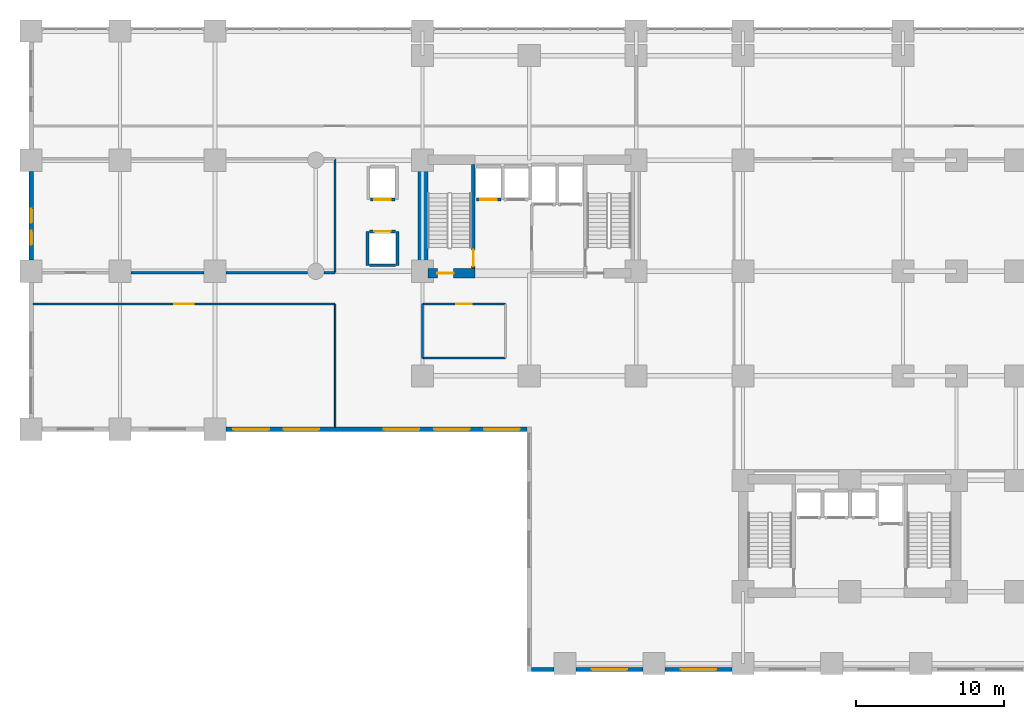
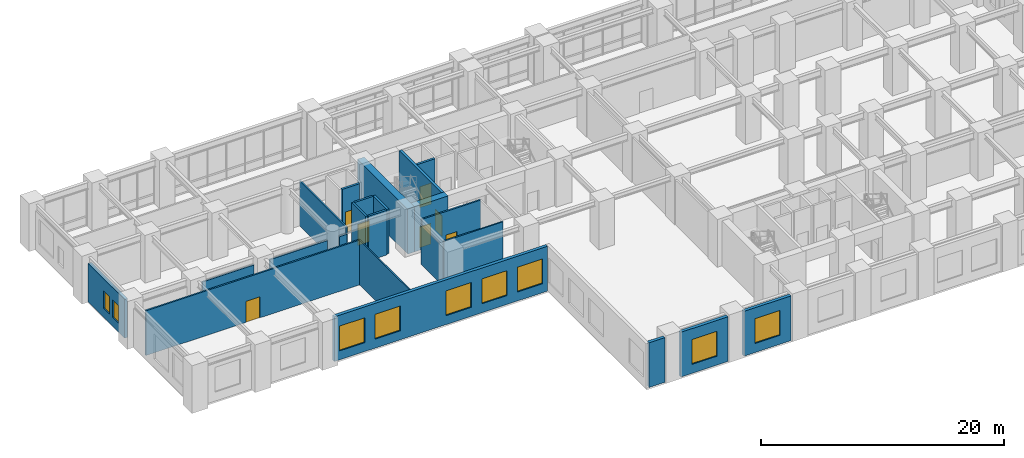
# One storey, part 15 of 22: 23 walls, 9 windows, 7 doors, 16 openings.
"""IFC4 building model written with IfcOpenShell, lengths in metres."""

from ifc_helpers import new_model, si_unit, direction, frame, frame_2d, origin, place, context, subcontext, project, spatial, rectangle, extrude, material, layer, layer_set, type_object, element, fill, save


model = new_model("IFC4")

# Units and contexts
model_context = context("Model", 3, precision=1e-05, world=origin(), true_north=direction((0.0, 1.0)))
body_context = subcontext(model_context, "Body", "Model", "MODEL_VIEW")
ifc_project = project(units=[si_unit("LENGTHUNIT", "METRE"), si_unit("AREAUNIT", "SQUARE_METRE"), si_unit("VOLUMEUNIT", "CUBIC_METRE"), si_unit("PLANEANGLEUNIT", "RADIAN"), si_unit("MASSUNIT", "GRAM", prefix="KILO")], contexts=[model_context])

# Site, building, storey
site_placement = place(None, origin())
site = spatial("IfcSite", under=ifc_project, at=site_placement, CompositionType="ELEMENT")
building_placement = place(site_placement, origin())
building = spatial("IfcBuilding", under=site, at=building_placement, Name="Kaliganga Portal Commons", CompositionType="ELEMENT")
storey_placement = place(building_placement, frame((0.0, 0.0, 10.199951171875)))
storey = spatial("IfcBuildingStorey", under=building, at=storey_placement, Name="L02", CompositionType="ELEMENT", Elevation=10.199951171875)

# Wall
ifc_material_1 = material(Name="Concrete C70/85", Category="concrete")
ifc_layer_1 = layer(ifc_material_1, 0.64990234375)
ifc_layer_set_1 = layer_set([ifc_layer_1], Name="Concrete C70/85")
wall_type_1 = type_object("IfcWallType", Name="WL-CORE-650", PredefinedType="SHEAR", material=ifc_layer_set_1)
wall_1_placement = place(storey_placement, frame((14.425048828125, 28.199951171875, 0.0), z_axis=(0.0, 0.0, 1.0), x_axis=(0.0, 1.0, 0.0)))
element("IfcWall", 1, at=wall_1_placement, inside=storey, type_object=wall_type_1, Name="Core A West Shear Wall L02", PredefinedType="SHEAR", context=body_context, shape_type="SweptSolid", body=[
    extrude(rectangle(XDim=8.300048828125, YDim=0.64990234375, at=frame_2d((4.14990234375, 0.0))), origin(), (0.0, 0.0, 1.0), 4.52001953125),
])

# Wall, opening, door
wall_2_placement = place(storey_placement, frame((14.75, 28.52490234375, 0.0), z_axis=(0.0, 0.0, 1.0), x_axis=(1.0, 0.0, 0.0)))
wall_2 = element("IfcWall", 2, at=wall_2_placement, inside=storey, type_object=wall_type_1, Name="Core A S-West Shear Wall L02", PredefinedType="SHEAR", context=body_context, shape_type="SweptSolid", body=[
    extrude(rectangle(XDim=3.199951171875, YDim=0.64990234375, at=frame_2d((1.60009765625, 0.0))), origin(), (0.0, 0.0, 1.0), 4.52001953125),
])
opening_1_placement = place(wall_2_placement, frame((0.64990234375, 0.0, 0.0)))
opening_1 = element("IfcOpeningElement", 3, at=opening_1_placement, cuts=wall_2, Name="Opening SD-01", PredefinedType="OPENING", context=body_context, shape_type="SweptSolid", body=[
    extrude(rectangle(XDim=1.10009765625, YDim=2.080078125, at=frame_2d((0.550048828125, 1.0400390625))), frame((0.0, 0.3349609375, 0.0), z_axis=(0.0, -1.0, 0.0), x_axis=(1.0, 0.0, 0.0)), (0.0, 0.0, 1.0), 0.669921875),
])
ifc_material_2 = material(Name="Galvanized Steel Fire Door Leaf and Frame", Category="steel")
door_type_1 = type_object("IfcDoorType", Name="DR-STAIR-1100", OperationType="NOTDEFINED", PredefinedType="DOOR", material=ifc_material_2)
door_1_placement = place(opening_1_placement, origin())
door_1 = element("IfcDoor", 4, at=door_1_placement, inside=storey, type_object=door_type_1, Name="Protected Stair ST-A1 Concourse Fire Door L02", OperationType="SINGLE_SWING_LEFT", OverallHeight=2.080078125, OverallWidth=1.10009765625, PredefinedType="DOOR", context=body_context, shape_type="SweptSolid", body=[
    extrude(rectangle(XDim=1.10009765625, YDim=2.080078125, at=frame_2d((0.550048828125, 1.0400390625))), frame((0.0, 0.02490234375, 0.0), z_axis=(0.0, -1.0, 0.0), x_axis=(1.0, 0.0, 0.0)), (0.0, 0.0, 1.0), 0.050048828125),
])
fill(opening_1, door_1)

# Wall
ifc_material_3 = material(Name="Precast concrete C40/50", Category="concrete")
ifc_layer_2 = layer(ifc_material_3, 0.300048828125)
ifc_layer_set_2 = layer_set([ifc_layer_2], Name="Precast concrete C40/50")
wall_type_2 = type_object("IfcWallType", Name="WL-EXT-POD-300", PredefinedType="STANDARD", material=ifc_layer_set_2)
wall_3_placement = place(storey_placement, frame((23.2490234375, 1.800048828125, 0.0), z_axis=(0.0, 0.0, 1.0), x_axis=(-1.0, 0.0, 0.0)))
element("IfcWall", 5, at=wall_3_placement, inside=storey, type_object=wall_type_2, Name="Exterior Envelope Wall L02 P1-E00-S1", PredefinedType="STANDARD", context=body_context, shape_type="SweptSolid", body=[
    extrude(rectangle(XDim=1.494140625, YDim=0.300048828125, at=frame_2d((0.7470703125, 0.0))), origin(), (0.0, 0.0, 1.0), 4.5),
])

# Wall, opening, window
wall_4_placement = place(storey_placement, frame((29.2490234375, 1.800048828125, 0.0), z_axis=(0.0, 0.0, 1.0), x_axis=(-1.0, 0.0, 0.0)))
wall_4 = element("IfcWall", 6, at=wall_4_placement, inside=storey, type_object=wall_type_2, Name="Exterior Envelope Wall L02 P1-E00-S2", PredefinedType="STANDARD", context=body_context, shape_type="SweptSolid", body=[
    extrude(rectangle(XDim=4.498046875, YDim=0.300048828125, at=frame_2d((2.2490234375, 0.0))), origin(), (0.0, 0.0, 1.0), 4.5),
])
opening_2_placement = place(wall_4_placement, frame((1.049072265625, 0.0, 0.89990234375)))
opening_2 = element("IfcOpeningElement", 7, at=opening_2_placement, cuts=wall_4, Name="Opening W-05", PredefinedType="OPENING", context=body_context, shape_type="SweptSolid", body=[
    extrude(rectangle(XDim=2.39990234375, YDim=2.5, at=frame_2d((1.199951171875, 1.25))), frame((0.0, 0.16015625, 0.0), z_axis=(0.0, -1.0, 0.0), x_axis=(1.0, 0.0, 0.0)), (0.0, 0.0, 1.0), 0.320068359375),
])
ifc_material_4 = material(Name="Thermally Broken Aluminium and Low-E Double Glazing", Category="aluminium")
window_type_1 = type_object("IfcWindowType", Name="WIN-POD-2400", PartitioningType="TRIPLE_PANEL_VERTICAL", PredefinedType="WINDOW", material=ifc_material_4)
window_1_placement = place(opening_2_placement, origin())
window_1 = element("IfcWindow", 8, at=window_1_placement, inside=storey, type_object=window_type_1, Name="Facade Window L02-P1E00S2-00", OverallHeight=2.5, OverallWidth=2.39990234375, PartitioningType="SINGLE_PANEL", PredefinedType="WINDOW", context=body_context, shape_type="SweptSolid", body=[
    extrude(rectangle(XDim=2.39990234375, YDim=2.5, at=frame_2d((1.199951171875, 1.25))), frame((0.0, 0.030029296875, 0.0), z_axis=(0.0, -1.0, 0.0), x_axis=(1.0, 0.0, 0.0)), (0.0, 0.0, 1.0), 0.06005859375),
])
fill(opening_2, window_1)

wall_5_placement = place(storey_placement, frame((35.2490234375, 1.800048828125, 0.0), z_axis=(0.0, 0.0, 1.0), x_axis=(-1.0, 0.0, 0.0)))
wall_5 = element("IfcWall", 9, at=wall_5_placement, inside=storey, type_object=wall_type_2, Name="Exterior Envelope Wall L02 P1-E00-S3", PredefinedType="STANDARD", context=body_context, shape_type="SweptSolid", body=[
    extrude(rectangle(XDim=4.498046875, YDim=0.300048828125, at=frame_2d((2.2490234375, 0.0))), origin(), (0.0, 0.0, 1.0), 4.5),
])
opening_3_placement = place(wall_5_placement, frame((1.049072265625, 0.0, 0.89990234375)))
opening_3 = element("IfcOpeningElement", 10, at=opening_3_placement, cuts=wall_5, Name="Opening W-05", PredefinedType="OPENING", context=body_context, shape_type="SweptSolid", body=[
    extrude(rectangle(XDim=2.39990234375, YDim=2.5, at=frame_2d((1.199951171875, 1.25))), frame((0.0, 0.16015625, 0.0), z_axis=(0.0, -1.0, 0.0), x_axis=(1.0, 0.0, 0.0)), (0.0, 0.0, 1.0), 0.320068359375),
])
window_2_placement = place(opening_3_placement, origin())
window_2 = element("IfcWindow", 11, at=window_2_placement, inside=storey, type_object=window_type_1, Name="Facade Window L02-P1E00S3-00", OverallHeight=2.5, OverallWidth=2.39990234375, PartitioningType="SINGLE_PANEL", PredefinedType="WINDOW", context=body_context, shape_type="SweptSolid", body=[
    extrude(rectangle(XDim=2.39990234375, YDim=2.5, at=frame_2d((1.199951171875, 1.25))), frame((0.0, 0.030029296875, 0.0), z_axis=(0.0, -1.0, 0.0), x_axis=(1.0, 0.0, 0.0)), (0.0, 0.0, 1.0), 0.06005859375),
])
fill(opening_3, window_2)

# Wall, openings, windows
wall_6_placement = place(storey_placement, frame((-12.0, 29.40087890625, 0.0), z_axis=(0.0, 0.0, 1.0), x_axis=(0.0, 1.0, 0.0)))
wall_6 = element("IfcWall", 12, at=wall_6_placement, inside=storey, type_object=wall_type_2, Name="Exterior Envelope Wall L02 P1-E03-S2", PredefinedType="STANDARD", context=body_context, shape_type="SweptSolid", body=[
    extrude(rectangle(XDim=5.998046875, YDim=0.300048828125, at=frame_2d((2.9990234375, 0.0))), origin(), (0.0, 0.0, 1.0), 3.900146484375),
])
opening_4_placement = place(wall_6_placement, frame((2.52392578125, 0.0, 0.89990234375)))
opening_4 = element("IfcOpeningElement", 13, at=opening_4_placement, cuts=wall_6, Name="Opening W-04", PredefinedType="OPENING", context=body_context, shape_type="SweptSolid", body=[
    extrude(rectangle(XDim=0.949951171875, YDim=1.75, at=frame_2d((0.47509765625, 0.875))), frame((0.0, 0.16015625, 0.0), z_axis=(0.0, -1.0, 0.0), x_axis=(1.0, 0.0, 0.0)), (0.0, 0.0, 1.0), 0.320068359375),
])
opening_5_placement = place(wall_6_placement, frame((1.03662109375, 0.0, 0.89990234375)))
opening_5 = element("IfcOpeningElement", 14, at=opening_5_placement, cuts=wall_6, Name="Opening W-04", PredefinedType="OPENING", context=body_context, shape_type="SweptSolid", body=[
    extrude(rectangle(XDim=0.949951171875, YDim=1.75, at=frame_2d((0.47509765625, 0.875))), frame((0.0, 0.16015625, 0.0), z_axis=(0.0, -1.0, 0.0), x_axis=(1.0, 0.0, 0.0)), (0.0, 0.0, 1.0), 0.320068359375),
])
window_type_2 = type_object("IfcWindowType", Name="WIN-NARROW-950", PartitioningType="SINGLE_PANEL", PredefinedType="WINDOW", material=ifc_material_4)
window_3_placement = place(opening_4_placement, origin())
window_3 = element("IfcWindow", 15, at=window_3_placement, inside=storey, type_object=window_type_2, Name="Facade Window L02-P1E03S2-N0", OverallHeight=1.75, OverallWidth=0.949951171875, PartitioningType="SINGLE_PANEL", PredefinedType="WINDOW", context=body_context, shape_type="SweptSolid", body=[
    extrude(rectangle(XDim=0.949951171875, YDim=1.75, at=frame_2d((0.47509765625, 0.875))), frame((0.0, 0.030029296875, 0.0), z_axis=(0.0, -1.0, 0.0), x_axis=(1.0, 0.0, 0.0)), (0.0, 0.0, 1.0), 0.06005859375),
])
fill(opening_4, window_3)
window_4_placement = place(opening_5_placement, origin())
window_4 = element("IfcWindow", 16, at=window_4_placement, inside=storey, type_object=window_type_2, Name="Facade Window L02-P1E03S2-N1", OverallHeight=1.75, OverallWidth=0.949951171875, PartitioningType="SINGLE_PANEL", PredefinedType="WINDOW", context=body_context, shape_type="SweptSolid", body=[
    extrude(rectangle(XDim=0.949951171875, YDim=1.75, at=frame_2d((0.47509765625, 0.875))), frame((0.0, 0.030029296875, 0.0), z_axis=(0.0, -1.0, 0.0), x_axis=(1.0, 0.0, 0.0)), (0.0, 0.0, 1.0), 0.06005859375),
])
fill(opening_5, window_4)

wall_7_placement = place(storey_placement, frame((21.445068359375, 18.0, 0.0), z_axis=(0.0, 0.0, 1.0), x_axis=(-1.0, 0.0, 0.0)))
wall_7 = element("IfcWall", 17, at=wall_7_placement, inside=storey, type_object=wall_type_2, Name="Exterior Envelope Wall L02 P1-E04-S3", PredefinedType="STANDARD", context=body_context, shape_type="SweptSolid", body=[
    extrude(rectangle(XDim=20.294189453125, YDim=0.300048828125, at=frame_2d((10.14697265625, 0.0))), origin(), (0.0, 0.0, 1.0), 4.5),
])
opening_6_placement = place(wall_7_placement, frame((0.4912109375, 0.0, 0.89990234375)))
opening_6 = element("IfcOpeningElement", 18, at=opening_6_placement, cuts=wall_7, Name="Opening W-05", PredefinedType="OPENING", context=body_context, shape_type="SweptSolid", body=[
    extrude(rectangle(XDim=2.39990234375, YDim=2.5, at=frame_2d((1.199951171875, 1.25))), frame((0.0, 0.16015625, 0.0), z_axis=(0.0, -1.0, 0.0), x_axis=(1.0, 0.0, 0.0)), (0.0, 0.0, 1.0), 0.320068359375),
])
opening_7_placement = place(wall_7_placement, frame((3.87353515625, 0.0, 0.89990234375)))
opening_7 = element("IfcOpeningElement", 19, at=opening_7_placement, cuts=wall_7, Name="Opening W-05", PredefinedType="OPENING", context=body_context, shape_type="SweptSolid", body=[
    extrude(rectangle(XDim=2.39990234375, YDim=2.5, at=frame_2d((1.199951171875, 1.25))), frame((0.0, 0.16015625, 0.0), z_axis=(0.0, -1.0, 0.0), x_axis=(1.0, 0.0, 0.0)), (0.0, 0.0, 1.0), 0.320068359375),
])
opening_8_placement = place(wall_7_placement, frame((7.255859375, 0.0, 0.89990234375)))
opening_8 = element("IfcOpeningElement", 20, at=opening_8_placement, cuts=wall_7, Name="Opening W-05", PredefinedType="OPENING", context=body_context, shape_type="SweptSolid", body=[
    extrude(rectangle(XDim=2.39990234375, YDim=2.5, at=frame_2d((1.199951171875, 1.25))), frame((0.0, 0.16015625, 0.0), z_axis=(0.0, -1.0, 0.0), x_axis=(1.0, 0.0, 0.0)), (0.0, 0.0, 1.0), 0.320068359375),
])
opening_9_placement = place(wall_7_placement, frame((14.0205078125, 0.0, 0.89990234375)))
opening_9 = element("IfcOpeningElement", 21, at=opening_9_placement, cuts=wall_7, Name="Opening W-05", PredefinedType="OPENING", context=body_context, shape_type="SweptSolid", body=[
    extrude(rectangle(XDim=2.39990234375, YDim=2.5, at=frame_2d((1.199951171875, 1.25))), frame((0.0, 0.16015625, 0.0), z_axis=(0.0, -1.0, 0.0), x_axis=(1.0, 0.0, 0.0)), (0.0, 0.0, 1.0), 0.320068359375),
])
opening_10_placement = place(wall_7_placement, frame((17.40283203125, 0.0, 0.89990234375)))
opening_10 = element("IfcOpeningElement", 22, at=opening_10_placement, cuts=wall_7, Name="Opening W-05", PredefinedType="OPENING", context=body_context, shape_type="SweptSolid", body=[
    extrude(rectangle(XDim=2.39990234375, YDim=2.5, at=frame_2d((1.199951171875, 1.25))), frame((0.0, 0.16015625, 0.0), z_axis=(0.0, -1.0, 0.0), x_axis=(1.0, 0.0, 0.0)), (0.0, 0.0, 1.0), 0.320068359375),
])
window_5_placement = place(opening_6_placement, origin())
window_5 = element("IfcWindow", 23, at=window_5_placement, inside=storey, type_object=window_type_1, Name="Facade Window L02-P1E04S3-00", OverallHeight=2.5, OverallWidth=2.39990234375, PartitioningType="SINGLE_PANEL", PredefinedType="WINDOW", context=body_context, shape_type="SweptSolid", body=[
    extrude(rectangle(XDim=2.39990234375, YDim=2.5, at=frame_2d((1.199951171875, 1.25))), frame((0.0, 0.030029296875, 0.0), z_axis=(0.0, -1.0, 0.0), x_axis=(1.0, 0.0, 0.0)), (0.0, 0.0, 1.0), 0.06005859375),
])
fill(opening_6, window_5)
window_6_placement = place(opening_7_placement, origin())
window_6 = element("IfcWindow", 24, at=window_6_placement, inside=storey, type_object=window_type_1, Name="Facade Window L02-P1E04S3-01", OverallHeight=2.5, OverallWidth=2.39990234375, PartitioningType="SINGLE_PANEL", PredefinedType="WINDOW", context=body_context, shape_type="SweptSolid", body=[
    extrude(rectangle(XDim=2.39990234375, YDim=2.5, at=frame_2d((1.199951171875, 1.25))), frame((0.0, 0.030029296875, 0.0), z_axis=(0.0, -1.0, 0.0), x_axis=(1.0, 0.0, 0.0)), (0.0, 0.0, 1.0), 0.06005859375),
])
fill(opening_7, window_6)
window_7_placement = place(opening_8_placement, origin())
window_7 = element("IfcWindow", 25, at=window_7_placement, inside=storey, type_object=window_type_1, Name="Facade Window L02-P1E04S3-02", OverallHeight=2.5, OverallWidth=2.39990234375, PartitioningType="SINGLE_PANEL", PredefinedType="WINDOW", context=body_context, shape_type="SweptSolid", body=[
    extrude(rectangle(XDim=2.39990234375, YDim=2.5, at=frame_2d((1.199951171875, 1.25))), frame((0.0, 0.030029296875, 0.0), z_axis=(0.0, -1.0, 0.0), x_axis=(1.0, 0.0, 0.0)), (0.0, 0.0, 1.0), 0.06005859375),
])
fill(opening_8, window_7)
window_8_placement = place(opening_9_placement, origin())
window_8 = element("IfcWindow", 26, at=window_8_placement, inside=storey, type_object=window_type_1, Name="Facade Window L02-P1E04S3-04", OverallHeight=2.5, OverallWidth=2.39990234375, PartitioningType="SINGLE_PANEL", PredefinedType="WINDOW", context=body_context, shape_type="SweptSolid", body=[
    extrude(rectangle(XDim=2.39990234375, YDim=2.5, at=frame_2d((1.199951171875, 1.25))), frame((0.0, 0.030029296875, 0.0), z_axis=(0.0, -1.0, 0.0), x_axis=(1.0, 0.0, 0.0)), (0.0, 0.0, 1.0), 0.06005859375),
])
fill(opening_9, window_8)
window_9_placement = place(opening_10_placement, origin())
window_9 = element("IfcWindow", 27, at=window_9_placement, inside=storey, type_object=window_type_1, Name="Facade Window L02-P1E04S3-05", OverallHeight=2.5, OverallWidth=2.39990234375, PartitioningType="SINGLE_PANEL", PredefinedType="WINDOW", context=body_context, shape_type="SweptSolid", body=[
    extrude(rectangle(XDim=2.39990234375, YDim=2.5, at=frame_2d((1.199951171875, 1.25))), frame((0.0, 0.030029296875, 0.0), z_axis=(0.0, -1.0, 0.0), x_axis=(1.0, 0.0, 0.0)), (0.0, 0.0, 1.0), 0.06005859375),
])
fill(opening_10, window_9)

# Wall, opening, door
ifc_material_5 = material(Name="Fire-Rated Gypsum Board on Steel Stud", Category="steel")
ifc_layer_3 = layer(ifc_material_5, 0.14990234375)
ifc_layer_set_3 = layer_set([ifc_layer_3], Name="Fire-Rated Gypsum Board on Steel Stud")
wall_type_3 = type_object("IfcWallType", Name="WL-PART-CORR-150", PredefinedType="PARTITIONING", material=ifc_layer_set_3)
wall_8_placement = place(storey_placement, frame((-11.867919921875, 26.43994140625, 0.0), z_axis=(0.0, 0.0, 1.0), x_axis=(1.0, 0.0, 0.0)))
wall_8 = element("IfcWall", 28, at=wall_8_placement, inside=storey, type_object=wall_type_3, Name="Interior Partition L02-012", PredefinedType="PARTITIONING", context=body_context, shape_type="SweptSolid", body=[
    extrude(rectangle(XDim=20.367919921875, YDim=0.14990234375, at=frame_2d((10.18408203125, 0.0))), origin(), (0.0, 0.0, 1.0), 4.5),
])
opening_11_placement = place(wall_8_placement, frame((9.533935546875, 0.0, 0.0)))
opening_11 = element("IfcOpeningElement", 29, at=opening_11_placement, cuts=wall_8, Name="Opening RD-03", PredefinedType="OPENING", context=body_context, shape_type="SweptSolid", body=[
    extrude(rectangle(XDim=1.300048828125, YDim=2.1201171875, at=frame_2d((0.64990234375, 1.06005859375))), frame((0.0, 0.0849609375, 0.0), z_axis=(0.0, -1.0, 0.0), x_axis=(1.0, 0.0, 0.0)), (0.0, 0.0, 1.0), 0.169921875),
])
ifc_material_6 = material(Name="Glazed Timber Seminar Vision Door", Category="wood")
door_type_2 = type_object("IfcDoorType", Name="DR-STUDY-1300", OperationType="DOUBLE_DOOR_SINGLE_SWING", PredefinedType="DOOR", material=ifc_material_6)
door_2_placement = place(opening_11_placement, origin())
door_2 = element("IfcDoor", 30, at=door_2_placement, inside=storey, type_object=door_type_2, Name="Interior Door L02-MAKER", OperationType="DOUBLE_DOOR_SINGLE_SWING", OverallHeight=2.1201171875, OverallWidth=1.300048828125, PredefinedType="DOOR", context=body_context, shape_type="SweptSolid", body=[
    extrude(rectangle(XDim=1.300048828125, YDim=2.1201171875, at=frame_2d((0.64990234375, 1.06005859375))), frame((0.0, 0.02490234375, 0.0), z_axis=(0.0, -1.0, 0.0), x_axis=(1.0, 0.0, 0.0)), (0.0, 0.0, 1.0), 0.050048828125),
])
fill(opening_11, door_2)

# Walls
wall_9_placement = place(storey_placement, frame((-5.25, 28.56005859375, 0.0), z_axis=(0.0, 0.0, 1.0), x_axis=(1.0, 0.0, 0.0)))
element("IfcWall", 31, at=wall_9_placement, inside=storey, type_object=wall_type_3, Name="Interior Partition L02-014", PredefinedType="PARTITIONING", context=body_context, shape_type="SweptSolid", body=[
    extrude(rectangle(XDim=4.89990234375, YDim=0.14990234375, at=frame_2d((2.449951171875, 0.0))), origin(), (0.0, 0.0, 1.0), 3.800048828125),
])
wall_10_placement = place(storey_placement, frame((1.14990234375, 28.56005859375, 0.0), z_axis=(0.0, 0.0, 1.0), x_axis=(1.0, 0.0, 0.0)))
element("IfcWall", 32, at=wall_10_placement, inside=storey, type_object=wall_type_3, Name="Interior Partition L02-015", PredefinedType="PARTITIONING", context=body_context, shape_type="SweptSolid", body=[
    extrude(rectangle(XDim=5.5, YDim=0.14990234375, at=frame_2d((2.75, 0.0))), origin(), (0.0, 0.0, 1.0), 3.800048828125),
])
wall_11_placement = place(storey_placement, frame((7.75, 28.56005859375, 0.0), z_axis=(0.0, 0.0, 1.0), x_axis=(1.0, 0.0, 0.0)))
element("IfcWall", 33, at=wall_11_placement, inside=storey, type_object=wall_type_3, Name="Interior Partition L02-016", PredefinedType="PARTITIONING", context=body_context, shape_type="SweptSolid", body=[
    extrude(rectangle(XDim=0.75, YDim=0.14990234375, at=frame_2d((0.375, 0.0))), origin(), (0.0, 0.0, 1.0), 3.800048828125),
])
wall_12_placement = place(storey_placement, frame((8.5, 28.56005859375, 0.0), z_axis=(0.0, 0.0, 1.0), x_axis=(0.0, 1.0, 0.0)))
element("IfcWall", 34, at=wall_12_placement, inside=storey, type_object=wall_type_3, Name="Interior Partition L02-021", PredefinedType="PARTITIONING", context=body_context, shape_type="SweptSolid", body=[
    extrude(rectangle(XDim=7.679931640625, YDim=0.14990234375, at=frame_2d((3.83984375, 0.0))), origin(), (0.0, 0.0, 1.0), 4.5),
])

# Wall, opening, door
wall_13_placement = place(storey_placement, frame((14.39990234375, 26.43994140625, 0.0), z_axis=(0.0, 0.0, 1.0), x_axis=(1.0, 0.0, 0.0)))
wall_13 = element("IfcWall", 35, at=wall_13_placement, inside=storey, type_object=wall_type_3, Name="Interior Partition L02-022", PredefinedType="PARTITIONING", context=body_context, shape_type="SweptSolid", body=[
    extrude(rectangle(XDim=5.60009765625, YDim=0.14990234375, at=frame_2d((2.800048828125, 0.0))), origin(), (0.0, 0.0, 1.0), 4.5),
])
opening_12_placement = place(wall_13_placement, frame((2.27490234375, 0.0, 0.0)))
opening_12 = element("IfcOpeningElement", 36, at=opening_12_placement, cuts=wall_13, Name="Opening UD-02", PredefinedType="OPENING", context=body_context, shape_type="SweptSolid", body=[
    extrude(rectangle(XDim=1.050048828125, YDim=2.1201171875, at=frame_2d((0.52490234375, 1.06005859375))), frame((0.0, 0.0849609375, 0.0), z_axis=(0.0, -1.0, 0.0), x_axis=(1.0, 0.0, 0.0)), (0.0, 0.0, 1.0), 0.169921875),
])
ifc_material_7 = material(Name="Accessible Wide-Leaf Acoustic Fire Door", Category="wood")
door_type_3 = type_object("IfcDoorType", Name="DR-ACC-1050", OperationType="NOTDEFINED", PredefinedType="DOOR", material=ifc_material_7)
door_3_placement = place(opening_12_placement, origin())
door_3 = element("IfcDoor", 37, at=door_3_placement, inside=storey, type_object=door_type_3, Name="Interior Door L02-L02WC", OperationType="SINGLE_SWING_RIGHT", OverallHeight=2.1201171875, OverallWidth=1.050048828125, PredefinedType="DOOR", context=body_context, shape_type="SweptSolid", body=[
    extrude(rectangle(XDim=1.050048828125, YDim=2.1201171875, at=frame_2d((0.52490234375, 1.06005859375))), frame((0.0, 0.02490234375, 0.0), z_axis=(0.0, -1.0, 0.0), x_axis=(1.0, 0.0, 0.0)), (0.0, 0.0, 1.0), 0.050048828125),
])
fill(opening_12, door_3)

# Walls
ifc_material_8 = material(Name="Moisture-Resistant Gypsum Partition", Category="gypsum")
ifc_layer_4 = layer(ifc_material_8, 0.114990234375)
ifc_layer_set_4 = layer_set([ifc_layer_4], Name="Moisture-Resistant Gypsum Partition")
wall_type_4 = type_object("IfcWallType", Name="WL-PART-ROOM-115", PredefinedType="PARTITIONING", material=ifc_layer_set_4)
wall_14_placement = place(storey_placement, frame((8.5, 18.132080078125, 0.0), z_axis=(0.0, 0.0, 1.0), x_axis=(0.0, 1.0, 0.0)))
element("IfcWall", 38, at=wall_14_placement, inside=storey, type_object=wall_type_4, Name="Interior Partition L02-029", PredefinedType="PARTITIONING", context=body_context, shape_type="SweptSolid", body=[
    extrude(rectangle(XDim=8.307861328125, YDim=0.114990234375, at=frame_2d((4.15380859375, 0.0))), origin(), (0.0, 0.0, 1.0), 4.5),
])
ifc_material_9 = material(Name="Cement-Board Wet-Room Partition", Category="gypsum")
ifc_layer_5 = layer(ifc_material_9, 0.135009765625)
ifc_layer_set_5 = layer_set([ifc_layer_5], Name="Cement-Board Wet-Room Partition")
wall_type_5 = type_object("IfcWallType", Name="WL-PART-WET-135", PredefinedType="PARTITIONING", material=ifc_layer_set_5)
wall_15_placement = place(storey_placement, frame((14.39990234375, 22.800048828125, 0.0), z_axis=(0.0, 0.0, 1.0), x_axis=(1.0, 0.0, 0.0)))
element("IfcWall", 39, at=wall_15_placement, inside=storey, type_object=wall_type_5, Name="Interior Partition L02-031", PredefinedType="PARTITIONING", context=body_context, shape_type="SweptSolid", body=[
    extrude(rectangle(XDim=5.60009765625, YDim=0.135009765625, at=frame_2d((2.800048828125, 0.0))), origin(), (0.0, 0.0, 1.0), 4.5),
])
wall_16_placement = place(storey_placement, frame((14.39990234375, 22.800048828125, 0.0), z_axis=(0.0, 0.0, 1.0), x_axis=(0.0, 1.0, 0.0)))
element("IfcWall", 40, at=wall_16_placement, inside=storey, type_object=wall_type_5, Name="Interior Partition L02-033", PredefinedType="PARTITIONING", context=body_context, shape_type="SweptSolid", body=[
    extrude(rectangle(XDim=3.639892578125, YDim=0.135009765625, at=frame_2d((1.81982421875, 0.0))), origin(), (0.0, 0.0, 1.0), 3.900146484375),
])

# Wall, opening, door
ifc_material_10 = material(Name="Fire-Rated Shaftwall Masonry Assembly", Category="masonry")
ifc_layer_6 = layer(ifc_material_10, 0.199951171875)
ifc_layer_set_6 = layer_set([ifc_layer_6], Name="Fire-Rated Shaftwall Masonry Assembly")
wall_type_6 = type_object("IfcWallType", Name="WL-SHAFT-200", PredefinedType="PARTITIONING", material=ifc_layer_set_6)
wall_17_placement = place(storey_placement, frame((18.02490234375, 33.485107421875, 0.0), z_axis=(0.0, 0.0, 1.0), x_axis=(1.0, 0.0, 0.0)))
wall_17 = element("IfcWall", 41, at=wall_17_placement, inside=storey, type_object=wall_type_6, Name="Lift PL-A1 Hoistway Shaft Wall L02-S", PredefinedType="PARTITIONING", context=body_context, shape_type="SweptSolid", body=[
    extrude(rectangle(XDim=1.650146484375, YDim=0.199951171875, at=frame_2d((0.8251953125, 0.0))), origin(), (0.0, 0.0, 1.0), 4.5),
])
opening_13_placement = place(wall_17_placement, frame((0.27490234375, 0.0, 0.0)))
opening_13 = element("IfcOpeningElement", 42, at=opening_13_placement, cuts=wall_17, Name="Opening LD-01", PredefinedType="OPENING", context=body_context, shape_type="SweptSolid", body=[
    extrude(rectangle(XDim=1.10009765625, YDim=2.1201171875, at=frame_2d((0.550048828125, 1.06005859375))), frame((0.0, 0.10986328125, 0.0), z_axis=(0.0, -1.0, 0.0), x_axis=(1.0, 0.0, 0.0)), (0.0, 0.0, 1.0), 0.219970703125),
])
ifc_material_11 = material(Name="Brushed Stainless Steel 316 Lift Landing Door", Category="steel")
door_type_4 = type_object("IfcDoorType", Name="DR-LIFT-1100", OperationType="SLIDING_TO_LEFT", PredefinedType="DOOR", material=ifc_material_11)
door_4_placement = place(opening_13_placement, origin())
door_4 = element("IfcDoor", 43, at=door_4_placement, inside=storey, type_object=door_type_4, Name="Lift PL-A1 Sliding Landing Door L02", OperationType="SLIDING_TO_LEFT", OverallHeight=2.1201171875, OverallWidth=1.10009765625, PredefinedType="DOOR", context=body_context, shape_type="SweptSolid", body=[
    extrude(rectangle(XDim=1.10009765625, YDim=2.1201171875, at=frame_2d((0.550048828125, 1.06005859375))), frame((0.0, 0.02490234375, 0.0), z_axis=(0.0, -1.0, 0.0), x_axis=(1.0, 0.0, 0.0)), (0.0, 0.0, 1.0), 0.050048828125),
])
fill(opening_13, door_4)

# Wall
wall_18_placement = place(storey_placement, frame((10.824951171875, 29.06005859375, 0.0), z_axis=(0.0, 0.0, 1.0), x_axis=(1.0, 0.0, 0.0)))
element("IfcWall", 44, at=wall_18_placement, inside=storey, type_object=wall_type_6, Name="Lift SH-1 Hoistway Shaft Wall L02-S", PredefinedType="PARTITIONING", context=body_context, shape_type="SweptSolid", body=[
    extrude(rectangle(XDim=1.75, YDim=0.199951171875, at=frame_2d((0.875, 0.0))), origin(), (0.0, 0.0, 1.0), 4.5),
])

# Wall, opening, door
wall_19_placement = place(storey_placement, frame((10.824951171875, 31.340087890625, 0.0), z_axis=(0.0, 0.0, 1.0), x_axis=(1.0, 0.0, 0.0)))
wall_19 = element("IfcWall", 45, at=wall_19_placement, inside=storey, type_object=wall_type_6, Name="Lift SH-1 Hoistway Shaft Wall L02-N", PredefinedType="PARTITIONING", context=body_context, shape_type="SweptSolid", body=[
    extrude(rectangle(XDim=1.75, YDim=0.199951171875, at=frame_2d((0.875, 0.0))), origin(), (0.0, 0.0, 1.0), 4.5),
])
opening_14_placement = place(wall_19_placement, frame((0.324951171875, 0.0, 0.0)))
opening_14 = element("IfcOpeningElement", 46, at=opening_14_placement, cuts=wall_19, Name="Opening LD-01", PredefinedType="OPENING", context=body_context, shape_type="SweptSolid", body=[
    extrude(rectangle(XDim=1.10009765625, YDim=2.1201171875, at=frame_2d((0.550048828125, 1.06005859375))), frame((0.0, 0.10986328125, 0.0), z_axis=(0.0, -1.0, 0.0), x_axis=(1.0, 0.0, 0.0)), (0.0, 0.0, 1.0), 0.219970703125),
])
door_5_placement = place(opening_14_placement, origin())
door_5 = element("IfcDoor", 47, at=door_5_placement, inside=storey, type_object=door_type_4, Name="Lift SH-1 Sliding Landing Door L02", OperationType="SLIDING_TO_LEFT", OverallHeight=2.1201171875, OverallWidth=1.10009765625, PredefinedType="DOOR", context=body_context, shape_type="SweptSolid", body=[
    extrude(rectangle(XDim=1.10009765625, YDim=2.1201171875, at=frame_2d((0.550048828125, 1.06005859375))), frame((0.0, 0.02490234375, 0.0), z_axis=(0.0, -1.0, 0.0), x_axis=(1.0, 0.0, 0.0)), (0.0, 0.0, 1.0), 0.050048828125),
])
fill(opening_14, door_5)

# Walls
for number, where, z_axis, x_axis, name in (
    (48, (10.68505859375, 29.06005859375, 0.0), (0.0, 0.0, 1.0), (0.0, 1.0, 0.0), "Lift SH-1 Hoistway Shaft Wall L02-W"),
    (49, (12.715087890625, 29.06005859375, 0.0), (0.0, 0.0, 1.0), (0.0, 1.0, 0.0), "Lift SH-1 Hoistway Shaft Wall L02-E"),
):
    element("IfcWall", number, at=place(storey_placement, frame(where, z_axis=z_axis, x_axis=x_axis)), inside=storey, type_object=wall_type_6, Name=name, PredefinedType="PARTITIONING", context=body_context, shape_type="SweptSolid", body=[
        extrude(rectangle(XDim=2.280029296875, YDim=0.199951171875, at=frame_2d((1.14013671875, 0.0))), origin(), (0.0, 0.0, 1.0), 4.5),
    ])

# Wall, opening, door
wall_20_placement = place(storey_placement, frame((10.875, 33.485107421875, 0.0), z_axis=(0.0, 0.0, 1.0), x_axis=(1.0, 0.0, 0.0)))
wall_20 = element("IfcWall", 50, at=wall_20_placement, inside=storey, type_object=wall_type_6, Name="Lift PL-OBS Hoistway Shaft Wall L02-S", PredefinedType="PARTITIONING", context=body_context, shape_type="SweptSolid", body=[
    extrude(rectangle(XDim=1.64990234375, YDim=0.199951171875, at=frame_2d((0.824951171875, 0.0))), origin(), (0.0, 0.0, 1.0), 4.5),
])
opening_15_placement = place(wall_20_placement, frame((0.27490234375, 0.0, 0.0)))
opening_15 = element("IfcOpeningElement", 51, at=opening_15_placement, cuts=wall_20, Name="Opening LD-01", PredefinedType="OPENING", context=body_context, shape_type="SweptSolid", body=[
    extrude(rectangle(XDim=1.10009765625, YDim=2.1201171875, at=frame_2d((0.550048828125, 1.06005859375))), frame((0.0, 0.10986328125, 0.0), z_axis=(0.0, -1.0, 0.0), x_axis=(1.0, 0.0, 0.0)), (0.0, 0.0, 1.0), 0.219970703125),
])
door_6_placement = place(opening_15_placement, origin())
door_6 = element("IfcDoor", 52, at=door_6_placement, inside=storey, type_object=door_type_4, Name="Lift PL-OBS Sliding Landing Door L02", OperationType="SLIDING_TO_LEFT", OverallHeight=2.1201171875, OverallWidth=1.10009765625, PredefinedType="DOOR", context=body_context, shape_type="SweptSolid", body=[
    extrude(rectangle(XDim=1.10009765625, YDim=2.1201171875, at=frame_2d((0.550048828125, 1.06005859375))), frame((0.0, 0.02490234375, 0.0), z_axis=(0.0, -1.0, 0.0), x_axis=(1.0, 0.0, 0.0)), (0.0, 0.0, 1.0), 0.050048828125),
])
fill(opening_15, door_6)

ifc_material_12 = material(Name="Concrete C50/60", Category="concrete")
ifc_layer_7 = layer(ifc_material_12, 0.25)
ifc_layer_set_7 = layer_set([ifc_layer_7], Name="Concrete C50/60")
wall_type_7 = type_object("IfcWallType", Name="WL-STAIR-250", PredefinedType="SHEAR", material=ifc_layer_set_7)
wall_21_placement = place(storey_placement, frame((17.824951171875, 28.85009765625, 0.0), z_axis=(0.0, 0.0, 1.0), x_axis=(0.0, 1.0, 0.0)))
wall_21 = element("IfcWall", 53, at=wall_21_placement, inside=storey, type_object=wall_type_7, Name="Stair A1 Enclosure Shear Wall L02", PredefinedType="SHEAR", context=body_context, shape_type="SweptSolid", body=[
    extrude(rectangle(XDim=7.0, YDim=0.25, at=frame_2d((3.5, 0.0))), origin(), (0.0, 0.0, 1.0), 4.52001953125),
])
opening_16_placement = place(wall_21_placement, frame((0.14990234375, 0.0, 0.0)))
opening_16 = element("IfcOpeningElement", 54, at=opening_16_placement, cuts=wall_21, Name="Opening SD-01", PredefinedType="OPENING", context=body_context, shape_type="SweptSolid", body=[
    extrude(rectangle(XDim=1.10009765625, YDim=2.080078125, at=frame_2d((0.550048828125, 1.0400390625))), frame((0.0, 0.135009765625, 0.0), z_axis=(0.0, -1.0, 0.0), x_axis=(1.0, 0.0, 0.0)), (0.0, 0.0, 1.0), 0.27001953125),
])
door_7_placement = place(opening_16_placement, origin())
door_7 = element("IfcDoor", 55, at=door_7_placement, inside=storey, type_object=door_type_1, Name="Protected Stair ST-A1 Fire Door L02", OperationType="SINGLE_SWING_RIGHT", OverallHeight=2.080078125, OverallWidth=1.10009765625, PredefinedType="DOOR", context=body_context, shape_type="SweptSolid", body=[
    extrude(rectangle(XDim=1.10009765625, YDim=2.080078125, at=frame_2d((0.550048828125, 1.0400390625))), frame((0.0, 0.02490234375, 0.0), z_axis=(0.0, -1.0, 0.0), x_axis=(1.0, 0.0, 0.0)), (0.0, 0.0, 1.0), 0.050048828125),
])
fill(opening_16, door_7)

save(model, "model.ifc")
